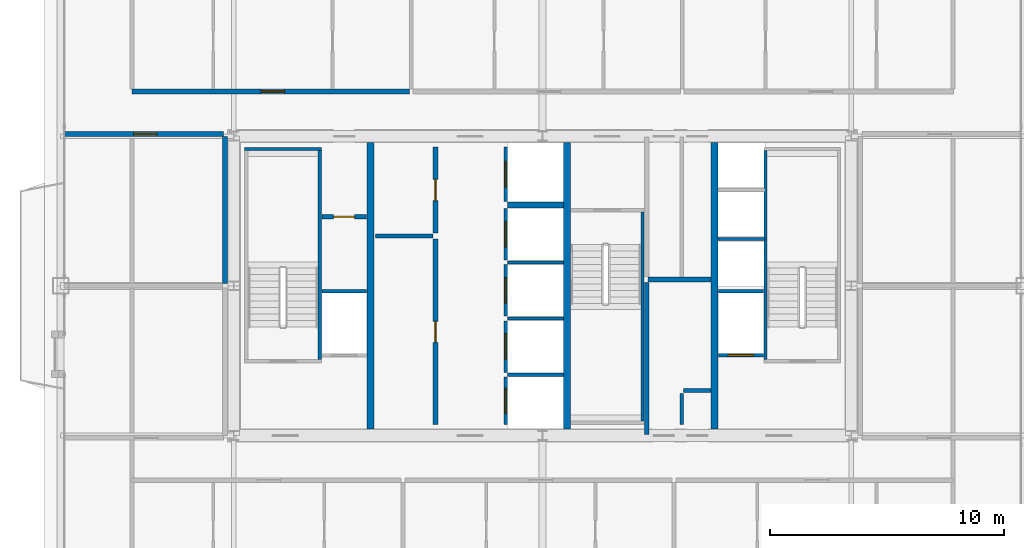
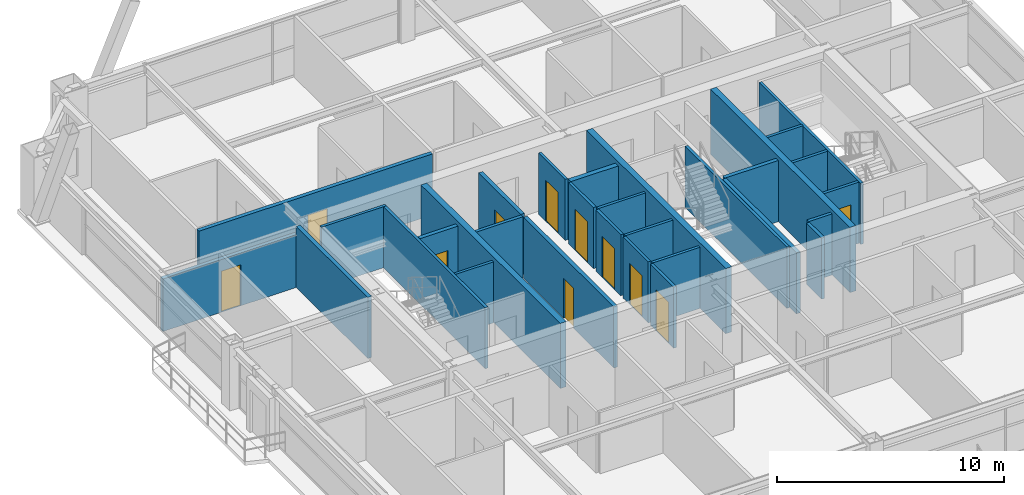
# One storey, part 30 of 33: 31 walls, 11 doors, 11 openings.
"""IFC4 building model written with IfcOpenShell, lengths in metres."""

from ifc_helpers import new_model, si_unit, direction, frame, frame_2d, origin, place, context, subcontext, project, spatial, rectangle, extrude, source, transform, mapped, material, layer, layer_set, type_object, element, fill, save


model = new_model("IFC4")

# Units and contexts
model_context = context("Model", 3, precision=1e-05, world=origin(), true_north=direction((0.0, 1.0)))
body_context = subcontext(model_context, "Body", "Model", "MODEL_VIEW")
ifc_project = project(units=[si_unit("LENGTHUNIT", "METRE"), si_unit("AREAUNIT", "SQUARE_METRE"), si_unit("VOLUMEUNIT", "CUBIC_METRE"), si_unit("PLANEANGLEUNIT", "RADIAN"), si_unit("MASSUNIT", "GRAM", prefix="KILO"), si_unit("THERMODYNAMICTEMPERATUREUNIT", "KELVIN"), si_unit("POWERUNIT", "WATT")], contexts=[model_context])

# Site, building, storey
site_placement = place(None, origin())
site = spatial("IfcSite", under=ifc_project, at=site_placement, CompositionType="ELEMENT")
building_placement = place(site_placement, origin())
building = spatial("IfcBuilding", under=site, at=building_placement, Name="Yuzanri Waterfront Tower", CompositionType="ELEMENT")
storey_placement = place(building_placement, frame((0.0, 0.0, 234.60009765625)))
storey = spatial("IfcBuildingStorey", under=building, at=storey_placement, Name="L62", CompositionType="ELEMENT", Elevation=234.60009765625)

# Wall, opening, door
ifc_material_1 = material(Name="Concrete C40", Category="concrete")
ifc_layer_1 = layer(ifc_material_1, 0.139892578125)
ifc_layer_set_1 = layer_set([ifc_layer_1], Name="Concrete C40")
wall_type_1 = type_object("IfcWallType", Name="Core Stair Liner and Hoistway Shaft Wall 140", PredefinedType="SOLIDWALL", material=ifc_layer_set_1)
wall_1_placement = place(storey_placement, frame((44.52001953125, 22.830078125, 0.0), z_axis=(0.0, 0.0, 1.0), x_axis=(1.0, 0.0, 0.0)))
wall_1 = element("IfcWall", 1, at=wall_1_placement, inside=storey, type_object=wall_type_1, Name="L62 Lift FL-02 Front Shaft Wall", PredefinedType="SOLIDWALL", context=body_context, shape_type="SweptSolid", body=[
    extrude(rectangle(XDim=1.919921875, YDim=0.139892578125, at=frame_2d((0.9599609375, 0.0))), origin(), (0.0, 0.0, 1.0), 3.27978515625),
])
opening_1_placement = place(wall_1_placement, frame((0.409912109375, 0.0, 0.0)))
opening_1 = element("IfcOpeningElement", 2, at=opening_1_placement, cuts=wall_1, Name="Opening LD-FL-02", PredefinedType="OPENING", context=body_context, shape_type="SweptSolid", body=[
    extrude(rectangle(XDim=1.10009765625, YDim=2.199951171875, at=frame_2d((0.550048828125, 1.10009765625))), frame((0.0, 0.0849609375, 0.0), z_axis=(0.0, -1.0, 0.0), x_axis=(1.0, 0.0, 0.0)), (0.0, 0.0, 1.0), 0.169677734375),
])
ifc_material_2 = material(Name="Brushed Bronze and Stainless Steel Cab", Category="steel")
door_type_1 = type_object("IfcDoorType", Name="Center-Parting Bronze Lift Landing Sliding Door 1100x2200", OperationType="NOTDEFINED", PredefinedType="DOOR", material=ifc_material_2)
shared_shape_1 = source(origin(), body_context, "Body", "SweptSolid", [
    extrude(rectangle(XDim=1.10009765625, YDim=2.199951171875, at=frame_2d((0.550048828125, 1.10009765625))), frame((0.0, 0.02490234375, 0.0), z_axis=(0.0, -1.0, 0.0), x_axis=(1.0, 0.0, 0.0)), (0.0, 0.0, 1.0), 0.050048828125),
])
door_1_placement = place(opening_1_placement, origin())
door_1 = element("IfcDoor", 3, at=door_1_placement, inside=storey, type_object=door_type_1, Name="L62 FL-02 Lift Landing Sliding Door", OperationType="SLIDING_TO_RIGHT", OverallHeight=2.199951171875, OverallWidth=1.10009765625, PredefinedType="DOOR", context=body_context, shape_type="MappedRepresentation", body=[
    mapped(shared_shape_1, transform((0.0, 0.0, 0.0), scale=1.0)),
])
fill(opening_1, door_1)

wall_2_placement = place(storey_placement, frame((35.429931640625, 19.860107421875, 0.0), z_axis=(0.0, 0.0, 1.0), x_axis=(0.0, 1.0, 0.0)))
wall_2 = element("IfcWall", 4, at=wall_2_placement, inside=storey, type_object=wall_type_1, Name="L62 Lift PL-05 Front Shaft Wall", PredefinedType="SOLIDWALL", context=body_context, shape_type="SweptSolid", body=[
    extrude(rectangle(XDim=2.039794921875, YDim=0.139892578125, at=frame_2d((1.02001953125, 0.0))), origin(), (0.0, 0.0, 1.0), 3.27978515625),
])
opening_2_placement = place(wall_2_placement, frame((0.469970703125, 0.0, 0.0)))
opening_2 = element("IfcOpeningElement", 5, at=opening_2_placement, cuts=wall_2, Name="Opening LD-PL-05", PredefinedType="OPENING", context=body_context, shape_type="SweptSolid", body=[
    extrude(rectangle(XDim=1.10009765625, YDim=2.199951171875, at=frame_2d((0.550048828125, 1.10009765625))), frame((0.0, 0.0849609375, 0.0), z_axis=(0.0, -1.0, 0.0), x_axis=(1.0, 0.0, 0.0)), (0.0, 0.0, 1.0), 0.169677734375),
])
door_2_placement = place(opening_2_placement, origin())
door_2 = element("IfcDoor", 6, at=door_2_placement, inside=storey, type_object=door_type_1, Name="L62 PL-05 Lift Landing Sliding Door", OperationType="SLIDING_TO_RIGHT", OverallHeight=2.199951171875, OverallWidth=1.10009765625, PredefinedType="DOOR", context=body_context, shape_type="MappedRepresentation", body=[
    mapped(shared_shape_1, transform((0.0, 0.0, 0.0), scale=1.0)),
])
fill(opening_2, door_2)

wall_3_placement = place(storey_placement, frame((35.429931640625, 22.10009765625, 0.0), z_axis=(0.0, 0.0, 1.0), x_axis=(0.0, 1.0, 0.0)))
wall_3 = element("IfcWall", 7, at=wall_3_placement, inside=storey, type_object=wall_type_1, Name="L62 Lift PL-06 Front Shaft Wall", PredefinedType="SOLIDWALL", context=body_context, shape_type="SweptSolid", body=[
    extrude(rectangle(XDim=2.199951171875, YDim=0.139892578125, at=frame_2d((1.10009765625, 0.0))), origin(), (0.0, 0.0, 1.0), 3.27978515625),
])
opening_3_placement = place(wall_3_placement, frame((0.550048828125, 0.0, 0.0)))
opening_3 = element("IfcOpeningElement", 8, at=opening_3_placement, cuts=wall_3, Name="Opening LD-PL-06", PredefinedType="OPENING", context=body_context, shape_type="SweptSolid", body=[
    extrude(rectangle(XDim=1.10009765625, YDim=2.199951171875, at=frame_2d((0.550048828125, 1.10009765625))), frame((0.0, 0.0849609375, 0.0), z_axis=(0.0, -1.0, 0.0), x_axis=(1.0, 0.0, 0.0)), (0.0, 0.0, 1.0), 0.169677734375),
])
door_3_placement = place(opening_3_placement, origin())
door_3 = element("IfcDoor", 9, at=door_3_placement, inside=storey, type_object=door_type_1, Name="L62 PL-06 Lift Landing Sliding Door", OperationType="SLIDING_TO_LEFT", OverallHeight=2.199951171875, OverallWidth=1.10009765625, PredefinedType="DOOR", context=body_context, shape_type="MappedRepresentation", body=[
    mapped(shared_shape_1, transform((0.0, 0.0, 0.0), scale=1.0)),
])
fill(opening_3, door_3)

wall_4_placement = place(storey_placement, frame((35.429931640625, 24.5, 0.0), z_axis=(0.0, 0.0, 1.0), x_axis=(0.0, 1.0, 0.0)))
wall_4 = element("IfcWall", 10, at=wall_4_placement, inside=storey, type_object=wall_type_1, Name="L62 Lift PL-07 Front Shaft Wall", PredefinedType="SOLIDWALL", context=body_context, shape_type="SweptSolid", body=[
    extrude(rectangle(XDim=2.199951171875, YDim=0.139892578125, at=frame_2d((1.10009765625, 0.0))), origin(), (0.0, 0.0, 1.0), 3.27978515625),
])
opening_4_placement = place(wall_4_placement, frame((0.550048828125, 0.0, 0.0)))
opening_4 = element("IfcOpeningElement", 11, at=opening_4_placement, cuts=wall_4, Name="Opening LD-PL-07", PredefinedType="OPENING", context=body_context, shape_type="SweptSolid", body=[
    extrude(rectangle(XDim=1.10009765625, YDim=2.199951171875, at=frame_2d((0.550048828125, 1.10009765625))), frame((0.0, 0.0849609375, 0.0), z_axis=(0.0, -1.0, 0.0), x_axis=(1.0, 0.0, 0.0)), (0.0, 0.0, 1.0), 0.169677734375),
])
door_4_placement = place(opening_4_placement, origin())
door_4 = element("IfcDoor", 12, at=door_4_placement, inside=storey, type_object=door_type_1, Name="L62 PL-07 Lift Landing Sliding Door", OperationType="SLIDING_TO_RIGHT", OverallHeight=2.199951171875, OverallWidth=1.10009765625, PredefinedType="DOOR", context=body_context, shape_type="MappedRepresentation", body=[
    mapped(shared_shape_1, transform((0.0, 0.0, 0.0), scale=1.0)),
])
fill(opening_4, door_4)

wall_5_placement = place(storey_placement, frame((35.429931640625, 26.89990234375, 0.0), z_axis=(0.0, 0.0, 1.0), x_axis=(0.0, 1.0, 0.0)))
wall_5 = element("IfcWall", 13, at=wall_5_placement, inside=storey, type_object=wall_type_1, Name="L62 Lift PL-08 Front Shaft Wall", PredefinedType="SOLIDWALL", context=body_context, shape_type="SweptSolid", body=[
    extrude(rectangle(XDim=2.2001953125, YDim=0.139892578125, at=frame_2d((1.10009765625, 0.0))), origin(), (0.0, 0.0, 1.0), 3.27978515625),
])
opening_5_placement = place(wall_5_placement, frame((0.550048828125, 0.0, 0.0)))
opening_5 = element("IfcOpeningElement", 14, at=opening_5_placement, cuts=wall_5, Name="Opening LD-PL-08", PredefinedType="OPENING", context=body_context, shape_type="SweptSolid", body=[
    extrude(rectangle(XDim=1.10009765625, YDim=2.199951171875, at=frame_2d((0.550048828125, 1.10009765625))), frame((0.0, 0.0849609375, 0.0), z_axis=(0.0, -1.0, 0.0), x_axis=(1.0, 0.0, 0.0)), (0.0, 0.0, 1.0), 0.169677734375),
])
door_5_placement = place(opening_5_placement, origin())
door_5 = element("IfcDoor", 15, at=door_5_placement, inside=storey, type_object=door_type_1, Name="L62 PL-08 Lift Landing Sliding Door", OperationType="SLIDING_TO_LEFT", OverallHeight=2.199951171875, OverallWidth=1.10009765625, PredefinedType="DOOR", context=body_context, shape_type="MappedRepresentation", body=[
    mapped(shared_shape_1, transform((0.0, 0.0, 0.0), scale=1.0)),
])
fill(opening_5, door_5)

wall_6_placement = place(storey_placement, frame((35.429931640625, 29.39990234375, 0.0), z_axis=(0.0, 0.0, 1.0), x_axis=(0.0, 1.0, 0.0)))
wall_6 = element("IfcWall", 16, at=wall_6_placement, inside=storey, type_object=wall_type_1, Name="L62 Lift SL-02 Front Shaft Wall", PredefinedType="SOLIDWALL", context=body_context, shape_type="SweptSolid", body=[
    extrude(rectangle(XDim=2.340087890625, YDim=0.139892578125, at=frame_2d((1.169921875, 0.0))), origin(), (0.0, 0.0, 1.0), 3.27978515625),
])
opening_6_placement = place(wall_6_placement, frame((0.6201171875, 0.0, 0.0)))
opening_6 = element("IfcOpeningElement", 17, at=opening_6_placement, cuts=wall_6, Name="Opening LD-SL-02", PredefinedType="OPENING", context=body_context, shape_type="SweptSolid", body=[
    extrude(rectangle(XDim=1.10009765625, YDim=2.199951171875, at=frame_2d((0.550048828125, 1.10009765625))), frame((0.0, 0.0849609375, 0.0), z_axis=(0.0, -1.0, 0.0), x_axis=(1.0, 0.0, 0.0)), (0.0, 0.0, 1.0), 0.169677734375),
])
door_6_placement = place(opening_6_placement, origin())
door_6 = element("IfcDoor", 18, at=door_6_placement, inside=storey, type_object=door_type_1, Name="L62 SL-02 Lift Landing Sliding Door", OperationType="SLIDING_TO_RIGHT", OverallHeight=2.199951171875, OverallWidth=1.10009765625, PredefinedType="DOOR", context=body_context, shape_type="MappedRepresentation", body=[
    mapped(shared_shape_1, transform((0.0, 0.0, 0.0), scale=1.0)),
])
fill(opening_6, door_6)

ifc_material_3 = material(Name="Autoclaved Aerated Concrete Blockwork", Category="masonry")
ifc_layer_2 = layer(ifc_material_3, 0.199951171875)
ifc_layer_set_2 = layer_set([ifc_layer_2], Name="Autoclaved Aerated Concrete Blockwork")
wall_type_2 = type_object("IfcWallType", Name="Corridor and Unit Party Fire Wall 200", PredefinedType="PARTITIONING", material=ifc_layer_set_2)
wall_7_placement = place(storey_placement, frame((27.56005859375, 28.75, 0.0), z_axis=(0.0, 0.0, 1.0), x_axis=(1.0, 0.0, 0.0)))
wall_7 = element("IfcWall", 19, at=wall_7_placement, inside=storey, type_object=wall_type_2, Name="L62 Partition CRW-L62-ERTR", PredefinedType="PARTITIONING", context=body_context, shape_type="SweptSolid", body=[
    extrude(rectangle(XDim=1.919921875, YDim=0.199951171875, at=frame_2d((0.9599609375, 0.0))), origin(), (0.0, 0.0, 1.0), 3.27978515625),
])
opening_7_placement = place(wall_7_placement, frame((0.510009765625, 0.0, 0.0)))
opening_7 = element("IfcOpeningElement", 20, at=opening_7_placement, cuts=wall_7, Name="Opening FD-0900", PredefinedType="OPENING", context=body_context, shape_type="SweptSolid", body=[
    extrude(rectangle(XDim=0.89990234375, YDim=2.14990234375, at=frame_2d((0.449951171875, 1.074951171875))), frame((0.0, 0.11474609375, 0.0), z_axis=(0.0, -1.0, 0.0), x_axis=(1.0, 0.0, 0.0)), (0.0, 0.0, 1.0), 0.229736328125),
])
ifc_material_4 = material(Name="Painted Galvanized Fire Steel", Category="steel")
door_type_2 = type_object("IfcDoorType", Name="Riser and Service Room Fire Door 900x2150", OperationType="NOTDEFINED", PredefinedType="DOOR", material=ifc_material_4)
shared_shape_2 = source(origin(), body_context, "Body", "SweptSolid", [
    extrude(rectangle(XDim=0.89990234375, YDim=2.14990234375, at=frame_2d((0.449951171875, 1.074951171875))), frame((0.0, 0.02490234375, 0.0), z_axis=(0.0, -1.0, 0.0), x_axis=(1.0, 0.0, 0.0)), (0.0, 0.0, 1.0), 0.050048828125),
])
door_7_placement = place(opening_7_placement, origin())
door_7 = element("IfcDoor", 21, at=door_7_placement, inside=storey, type_object=door_type_2, Name="L62 Electrical Riser Door", OperationType="SINGLE_SWING_LEFT", OverallHeight=2.14990234375, OverallWidth=0.89990234375, PredefinedType="DOOR", context=body_context, shape_type="MappedRepresentation", body=[
    mapped(shared_shape_2, transform((0.0, 0.0, 0.0), scale=1.0)),
])
fill(opening_7, door_7)

wall_8_placement = place(storey_placement, frame((32.419921875, 19.860107421875, 0.0), z_axis=(0.0, 0.0, 1.0), x_axis=(0.0, 1.0, 0.0)))
wall_8 = element("IfcWall", 22, at=wall_8_placement, inside=storey, type_object=wall_type_2, Name="L62 Partition CRW-L62-B1R-1", PredefinedType="PARTITIONING", context=body_context, shape_type="SweptSolid", body=[
    extrude(rectangle(XDim=7.93994140625, YDim=0.199951171875, at=frame_2d((3.969970703125, 0.0))), origin(), (0.0, 0.0, 1.0), 3.27978515625),
])
opening_8_placement = place(wall_8_placement, frame((3.52001953125, 0.0, 0.0)))
opening_8 = element("IfcOpeningElement", 23, at=opening_8_placement, cuts=wall_8, Name="Opening FD-0900", PredefinedType="OPENING", context=body_context, shape_type="SweptSolid", body=[
    extrude(rectangle(XDim=0.89990234375, YDim=2.14990234375, at=frame_2d((0.449951171875, 1.074951171875))), frame((0.0, 0.11474609375, 0.0), z_axis=(0.0, -1.0, 0.0), x_axis=(1.0, 0.0, 0.0)), (0.0, 0.0, 1.0), 0.229736328125),
])
door_8_placement = place(opening_8_placement, origin())
door_8 = element("IfcDoor", 24, at=door_8_placement, inside=storey, type_object=door_type_2, Name="L62 General Store Room", OperationType="SINGLE_SWING_RIGHT", OverallHeight=2.14990234375, OverallWidth=0.89990234375, PredefinedType="DOOR", context=body_context, shape_type="MappedRepresentation", body=[
    mapped(shared_shape_2, transform((0.0, 0.0, 0.0), scale=1.0)),
])
fill(opening_8, door_8)

wall_9_placement = place(storey_placement, frame((32.419921875, 28.050048828125, 0.0), z_axis=(0.0, 0.0, 1.0), x_axis=(0.0, 1.0, 0.0)))
wall_9 = element("IfcWall", 25, at=wall_9_placement, inside=storey, type_object=wall_type_2, Name="L62 Partition CRW-L62-B1R-2", PredefinedType="PARTITIONING", context=body_context, shape_type="SweptSolid", body=[
    extrude(rectangle(XDim=3.68994140625, YDim=0.199951171875, at=frame_2d((1.844970703125, 0.0))), origin(), (0.0, 0.0, 1.0), 3.27978515625),
])
opening_9_placement = place(wall_9_placement, frame((1.39501953125, 0.0, 0.0)))
opening_9 = element("IfcOpeningElement", 26, at=opening_9_placement, cuts=wall_9, Name="Opening FD-0900", PredefinedType="OPENING", context=body_context, shape_type="SweptSolid", body=[
    extrude(rectangle(XDim=0.89990234375, YDim=2.14990234375, at=frame_2d((0.449951171875, 1.074951171875))), frame((0.0, 0.11474609375, 0.0), z_axis=(0.0, -1.0, 0.0), x_axis=(1.0, 0.0, 0.0)), (0.0, 0.0, 1.0), 0.229736328125),
])
door_9_placement = place(opening_9_placement, origin())
door_9 = element("IfcDoor", 27, at=door_9_placement, inside=storey, type_object=door_type_2, Name="L62 Water Riser Shaft", OperationType="SINGLE_SWING_LEFT", OverallHeight=2.14990234375, OverallWidth=0.89990234375, PredefinedType="DOOR", context=body_context, shape_type="MappedRepresentation", body=[
    mapped(shared_shape_2, transform((0.0, 0.0, 0.0), scale=1.0)),
])
fill(opening_9, door_9)

wall_10_placement = place(storey_placement, frame((19.43994140625, 34.110107421875, 0.0), z_axis=(0.0, 0.0, 1.0), x_axis=(1.0, 0.0, 0.0)))
wall_10 = element("IfcWall", 28, at=wall_10_placement, inside=storey, type_object=wall_type_2, Name="L62 Partition UW-L62-RN1-CS", PredefinedType="PARTITIONING", context=body_context, shape_type="SweptSolid", body=[
    extrude(rectangle(XDim=11.861083984375, YDim=0.199951171875, at=frame_2d((5.9306640625, 0.0))), origin(), (0.0, 0.0, 1.0), 3.27978515625),
])
opening_10_placement = place(wall_10_placement, frame((5.531005859375, 0.0, 0.0)))
opening_10 = element("IfcOpeningElement", 29, at=opening_10_placement, cuts=wall_10, Name="Opening FD-1000", PredefinedType="OPENING", context=body_context, shape_type="SweptSolid", body=[
    extrude(rectangle(XDim=1.0, YDim=2.199951171875, at=frame_2d((0.5, 1.10009765625))), frame((0.0, 0.11474609375, 0.0), z_axis=(0.0, -1.0, 0.0), x_axis=(1.0, 0.0, 0.0)), (0.0, 0.0, 1.0), 0.229736328125),
])
ifc_material_5 = material(Name="Engineered Oak Fire-Rated Timber", Category="wood")
door_type_3 = type_object("IfcDoorType", Name="Guestroom and Apartment Entrance Fire Door 1000x2200", OperationType="NOTDEFINED", PredefinedType="DOOR", material=ifc_material_5)
shared_shape_3 = source(origin(), body_context, "Body", "SweptSolid", [
    extrude(rectangle(XDim=1.0, YDim=2.199951171875, at=frame_2d((0.5, 1.10009765625))), frame((0.0, 0.02490234375, 0.0), z_axis=(0.0, -1.0, 0.0), x_axis=(1.0, 0.0, 0.0)), (0.0, 0.0, 1.0), 0.050048828125),
])
door_10_placement = place(opening_10_placement, origin())
door_10 = element("IfcDoor", 30, at=door_10_placement, inside=storey, type_object=door_type_3, Name="L62 Studio Living and Sleeping Room Entrance Door", OperationType="SINGLE_SWING_LEFT", OverallHeight=2.199951171875, OverallWidth=1.0, PredefinedType="DOOR", context=body_context, shape_type="MappedRepresentation", body=[
    mapped(shared_shape_3, transform((0.0, 0.0, 0.0), scale=1.0)),
])
fill(opening_10, door_10)

wall_11_placement = place(storey_placement, frame((16.550048828125, 32.2900390625, 0.0), z_axis=(0.0, 0.0, 1.0), x_axis=(1.0, 0.0, 0.0)))
wall_11 = element("IfcWall", 31, at=wall_11_placement, inside=storey, type_object=wall_type_2, Name="L62 Partition UW-L62-037-CN", PredefinedType="PARTITIONING", context=body_context, shape_type="SweptSolid", body=[
    extrude(rectangle(XDim=6.800048828125, YDim=0.199951171875, at=frame_2d((3.39990234375, 0.0))), origin(), (0.0, 0.0, 1.0), 2.824951171875),
])
opening_11_placement = place(wall_11_placement, frame((2.965087890625, 0.0, 0.0)))
opening_11 = element("IfcOpeningElement", 32, at=opening_11_placement, cuts=wall_11, Name="Opening FD-1000", PredefinedType="OPENING", context=body_context, shape_type="SweptSolid", body=[
    extrude(rectangle(XDim=1.0, YDim=2.199951171875, at=frame_2d((0.5, 1.10009765625))), frame((0.0, 0.11474609375, 0.0), z_axis=(0.0, -1.0, 0.0), x_axis=(1.0, 0.0, 0.0)), (0.0, 0.0, 1.0), 0.229736328125),
])
door_11_placement = place(opening_11_placement, origin())
door_11 = element("IfcDoor", 33, at=door_11_placement, inside=storey, type_object=door_type_3, Name="L62 Residents W Executive Office 2 Entrance Door", OperationType="SINGLE_SWING_LEFT", OverallHeight=2.199951171875, OverallWidth=1.0, PredefinedType="DOOR", context=body_context, shape_type="MappedRepresentation", body=[
    mapped(shared_shape_3, transform((0.0, 0.0, 0.0), scale=1.0)),
])
fill(opening_11, door_11)

# Walls
ifc_material_6 = material(Name="Concrete C50", Category="concrete")
ifc_layer_3 = layer(ifc_material_6, 0.300048828125)
ifc_layer_set_3 = layer_set([ifc_layer_3], Name="Concrete C50")
wall_type_3 = type_object("IfcWallType", Name="Concrete C50 Internal Core Shaft Structural Wall 300", PredefinedType="SOLIDWALL", material=ifc_layer_set_3)
shared_shape_4 = source(origin(), body_context, "Body", "SweptSolid", [
    extrude(rectangle(XDim=12.25, YDim=0.300048828125, at=frame_2d((6.125, 0.0))), origin(), (0.0, 0.0, 1.0), 3.5),
])
for number, where, z_axis, x_axis, name in (
    (34, (29.64990234375, 19.675048828125, 0.0), (0.0, 0.0, 1.0), (0.0, 1.0, 0.0), "L62 Core Internal Structural Web Wall 1"),
    (35, (38.050048828125, 19.675048828125, 0.0), (0.0, 0.0, 1.0), (0.0, 1.0, 0.0), "L62 Core Internal Structural Web Wall 2"),
    (36, (44.35009765625, 19.675048828125, 0.0), (0.0, 0.0, 1.0), (0.0, 1.0, 0.0), "L62 Core Internal Structural Web Wall 3"),
):
    element("IfcWall", number, at=place(storey_placement, frame(where, z_axis=z_axis, x_axis=x_axis)), inside=storey, type_object=wall_type_3, Name=name, PredefinedType="SOLIDWALL", context=body_context, shape_type="MappedRepresentation", body=[
        mapped(shared_shape_4, transform((0.0, 0.0, 0.0), scale=1.0)),
    ])
shared_shape_5 = source(origin(), body_context, "Body", "SweptSolid", [
    extrude(rectangle(XDim=1.919921875, YDim=0.139892578125, at=frame_2d((0.9599609375, 0.0))), origin(), (0.0, 0.0, 1.0), 3.27978515625),
])
for number, where, z_axis, x_axis, name in (
    (37, (27.56005859375, 25.570068359375, 0.0), (0.0, 0.0, 1.0), (1.0, 0.0, 0.0), "L62 Lift FL-01 Back Shaft Wall"),
    (38, (44.52001953125, 25.570068359375, 0.0), (0.0, 0.0, 1.0), (1.0, 0.0, 0.0), "L62 Lift FL-02 Back Shaft Wall"),
):
    element("IfcWall", number, at=place(storey_placement, frame(where, z_axis=z_axis, x_axis=x_axis)), inside=storey, type_object=wall_type_1, Name=name, PredefinedType="SOLIDWALL", context=body_context, shape_type="MappedRepresentation", body=[
        mapped(shared_shape_5, transform((0.0, 0.0, 0.0), scale=1.0)),
    ])
shared_shape_6 = source(origin(), body_context, "Body", "SweptSolid", [
    extrude(rectangle(XDim=2.39990234375, YDim=0.139892578125, at=frame_2d((1.199951171875, 0.0))), origin(), (0.0, 0.0, 1.0), 3.27978515625),
])
for number, where, z_axis, x_axis, name in (
    (39, (35.5, 22.0, 0.0), (0.0, 0.0, 1.0), (1.0, 0.0, 0.0), "L62 Lift PL-05 Divider Wall"),
    (40, (35.5, 24.39990234375, 0.0), (0.0, 0.0, 1.0), (1.0, 0.0, 0.0), "L62 Lift PL-06 Divider Wall"),
    (41, (35.5, 26.800048828125, 0.0), (0.0, 0.0, 1.0), (1.0, 0.0, 0.0), "L62 Lift PL-07 Divider Wall"),
):
    element("IfcWall", number, at=place(storey_placement, frame(where, z_axis=z_axis, x_axis=x_axis)), inside=storey, type_object=wall_type_1, Name=name, PredefinedType="SOLIDWALL", context=body_context, shape_type="MappedRepresentation", body=[
        mapped(shared_shape_6, transform((0.0, 0.0, 0.0), scale=1.0)),
    ])
ifc_material_7 = material(Name="Concrete C40", Category="concrete")
ifc_layer_4 = layer(ifc_material_7, 0.25)
ifc_layer_set_4 = layer_set([ifc_layer_4], Name="Concrete C40")
wall_type_4 = type_object("IfcWallType", Name="Smoke-Proof Stair and Lift Shaft Wall 250", PredefinedType="SOLIDWALL", material=ifc_layer_set_4)
shared_shape_7 = source(origin(), body_context, "Body", "SweptSolid", [
    extrude(rectangle(XDim=2.39990234375, YDim=0.25, at=frame_2d((1.199951171875, 0.0))), origin(), (0.0, 0.0, 1.0), 3.27978515625),
])
wall_12_placement = place(storey_placement, frame((35.5, 29.25, 0.0), z_axis=(0.0, 0.0, 1.0), x_axis=(1.0, 0.0, 0.0)))
element("IfcWall", 42, at=wall_12_placement, inside=storey, type_object=wall_type_4, Name="L62 Lift SL-02 South Shaft Wall", PredefinedType="SOLIDWALL", context=body_context, shape_type="MappedRepresentation", body=[
    mapped(shared_shape_7, transform((0.0, 0.0, 0.0), scale=1.0)),
])
shared_shape_8 = source(origin(), body_context, "Body", "SweptSolid", [
    extrude(rectangle(XDim=2.0, YDim=0.139892578125, at=frame_2d((1.0, 0.0))), origin(), (0.0, 0.0, 1.0), 3.27978515625),
])
wall_13_placement = place(storey_placement, frame((44.5, 27.800048828125, 0.0), z_axis=(0.0, 0.0, 1.0), x_axis=(1.0, 0.0, 0.0)))
element("IfcWall", 43, at=wall_13_placement, inside=storey, type_object=wall_type_1, Name="L62 Lift PL-09 Divider Wall", PredefinedType="SOLIDWALL", context=body_context, shape_type="MappedRepresentation", body=[
    mapped(shared_shape_8, transform((0.0, 0.0, 0.0), scale=1.0)),
])
shared_shape_9 = source(origin(), body_context, "Body", "SweptSolid", [
    extrude(rectangle(XDim=3.280029296875, YDim=0.139892578125, at=frame_2d((1.64013671875, 0.0))), origin(), (0.0, 0.0, 1.0), 3.27978515625),
])
wall_14_placement = place(storey_placement, frame((24.260009765625, 31.64990234375, 0.0), z_axis=(0.0, 0.0, 1.0), x_axis=(1.0, 0.0, 0.0)))
element("IfcWall", 44, at=wall_14_placement, inside=storey, type_object=wall_type_1, Name="L62 Stair ST-01 North Shaft Wall", PredefinedType="SOLIDWALL", context=body_context, shape_type="MappedRepresentation", body=[
    mapped(shared_shape_9, transform((0.0, 0.0, 0.0), scale=1.0)),
])
shared_shape_10 = source(origin(), body_context, "Body", "SweptSolid", [
    extrude(rectangle(XDim=8.940185546875, YDim=0.139892578125, at=frame_2d((4.47021484375, 0.0))), origin(), (0.0, 0.0, 1.0), 3.27978515625),
])
for number, where, z_axis, x_axis, name in (
    (45, (27.469970703125, 22.639892578125, 0.0), (0.0, 0.0, 1.0), (0.0, 1.0, 0.0), "L62 Stair ST-01 East Shaft Wall"),
    (46, (46.530029296875, 22.639892578125, 0.0), (0.0, 0.0, 1.0), (0.0, 1.0, 0.0), "L62 Stair ST-02 West Shaft Wall"),
):
    element("IfcWall", number, at=place(storey_placement, frame(where, z_axis=z_axis, x_axis=x_axis)), inside=storey, type_object=wall_type_1, Name=name, PredefinedType="SOLIDWALL", context=body_context, shape_type="MappedRepresentation", body=[
        mapped(shared_shape_10, transform((0.0, 0.0, 0.0), scale=1.0)),
    ])
shared_shape_11 = source(origin(), body_context, "Body", "SweptSolid", [
    extrude(rectangle(XDim=8.93994140625, YDim=0.139892578125, at=frame_2d((4.469970703125, 0.0))), origin(), (0.0, 0.0, 1.0), 3.27978515625),
])
wall_15_placement = place(storey_placement, frame((41.27001953125, 20.02001953125, 0.0), z_axis=(0.0, 0.0, 1.0), x_axis=(0.0, 1.0, 0.0)))
element("IfcWall", 47, at=wall_15_placement, inside=storey, type_object=wall_type_1, Name="L62 Stair ST-03 East Shaft Wall", PredefinedType="SOLIDWALL", context=body_context, shape_type="MappedRepresentation", body=[
    mapped(shared_shape_11, transform((0.0, 0.0, 0.0), scale=1.0)),
])
ifc_material_8 = material(Name="Gypsum Fireboard Acoustic Stud Wall", Category="gypsum")
ifc_layer_5 = layer(ifc_material_8, 0.159912109375)
ifc_layer_set_5 = layer_set([ifc_layer_5], Name="Gypsum Fireboard Acoustic Stud Wall")
wall_type_5 = type_object("IfcWallType", Name="Acoustic Suite Demising Partition 160", PredefinedType="PARTITIONING", material=ifc_layer_set_5)
shared_shape_12 = source(origin(), body_context, "Body", "SweptSolid", [
    extrude(rectangle(XDim=2.469970703125, YDim=0.159912109375, at=frame_2d((1.23486328125, 0.0))), origin(), (0.0, 0.0, 1.0), 3.27978515625),
])
wall_16_placement = place(storey_placement, frame((29.85009765625, 27.929931640625, 0.0), z_axis=(0.0, 0.0, 1.0), x_axis=(1.0, 0.0, 0.0)))
element("IfcWall", 48, at=wall_16_placement, inside=storey, type_object=wall_type_5, Name="L62 Reclaimed Core Divider 2", PredefinedType="PARTITIONING", context=body_context, shape_type="MappedRepresentation", body=[
    mapped(shared_shape_12, transform((0.0, 0.0, 0.0), scale=1.0)),
])
shared_shape_13 = source(origin(), body_context, "Body", "SweptSolid", [
    extrude(rectangle(XDim=1.33984375, YDim=0.159912109375, at=frame_2d((0.669921875, 0.0))), origin(), (0.0, 0.0, 1.0), 3.27978515625),
])
wall_17_placement = place(storey_placement, frame((42.949951171875, 19.860107421875, 0.0), z_axis=(0.0, 0.0, 1.0), x_axis=(0.0, 1.0, 0.0)))
element("IfcWall", 49, at=wall_17_placement, inside=storey, type_object=wall_type_5, Name="L62 East Wet Riser West Wall", PredefinedType="PARTITIONING", context=body_context, shape_type="MappedRepresentation", body=[
    mapped(shared_shape_13, transform((0.0, 0.0, 0.0), scale=1.0)),
])
shared_shape_14 = source(origin(), body_context, "Body", "SweptSolid", [
    extrude(rectangle(XDim=1.169921875, YDim=0.159912109375, at=frame_2d((0.5849609375, 0.0))), origin(), (0.0, 0.0, 1.0), 3.27978515625),
])
wall_18_placement = place(storey_placement, frame((43.030029296875, 21.320068359375, 0.0), z_axis=(0.0, 0.0, 1.0), x_axis=(1.0, 0.0, 0.0)))
element("IfcWall", 50, at=wall_18_placement, inside=storey, type_object=wall_type_5, Name="L62 East Wet Riser North Wall", PredefinedType="PARTITIONING", context=body_context, shape_type="MappedRepresentation", body=[
    mapped(shared_shape_14, transform((0.0, 0.0, 0.0), scale=1.0)),
])
shared_shape_15 = source(origin(), body_context, "Body", "SweptSolid", [
    extrude(rectangle(XDim=6.2900390625, YDim=0.199951171875, at=frame_2d((3.14501953125, 0.0))), origin(), (0.0, 0.0, 1.0), 3.27978515625),
])
wall_19_placement = place(storey_placement, frame((23.419921875, 25.89990234375, 0.0), z_axis=(0.0, 0.0, 1.0), x_axis=(0.0, 1.0, 0.0)))
element("IfcWall", 51, at=wall_19_placement, inside=storey, type_object=wall_type_2, Name="L62-037 Wing Inner Core-Side Wall", PredefinedType="PARTITIONING", context=body_context, shape_type="MappedRepresentation", body=[
    mapped(shared_shape_15, transform((0.0, 0.0, 0.0), scale=1.0)),
])
shared_shape_16 = source(origin(), body_context, "Body", "SweptSolid", [
    extrude(rectangle(XDim=6.510009765625, YDim=0.199951171875, at=frame_2d((3.2548828125, 0.0))), origin(), (0.0, 0.0, 1.0), 3.27978515625),
])
wall_20_placement = place(storey_placement, frame((41.449951171875, 19.43994140625, 0.0), z_axis=(0.0, 0.0, 1.0), x_axis=(0.0, 1.0, 0.0)))
element("IfcWall", 52, at=wall_20_placement, inside=storey, type_object=wall_type_2, Name="L62 Core BOH West Wall 1", PredefinedType="PARTITIONING", context=body_context, shape_type="MappedRepresentation", body=[
    mapped(shared_shape_16, transform((0.0, 0.0, 0.0), scale=1.0)),
])
shared_shape_17 = source(origin(), body_context, "Body", "SweptSolid", [
    extrude(rectangle(XDim=2.699951171875, YDim=0.199951171875, at=frame_2d((1.35009765625, 0.0))), origin(), (0.0, 0.0, 1.0), 3.27978515625),
])
wall_21_placement = place(storey_placement, frame((41.5, 26.070068359375, 0.0), z_axis=(0.0, 0.0, 1.0), x_axis=(1.0, 0.0, 0.0)))
element("IfcWall", 53, at=wall_21_placement, inside=storey, type_object=wall_type_2, Name="L62 Core BOH Split Wall 1", PredefinedType="PARTITIONING", context=body_context, shape_type="MappedRepresentation", body=[
    mapped(shared_shape_17, transform((0.0, 0.0, 0.0), scale=1.0)),
])

save(model, "model.ifc")
